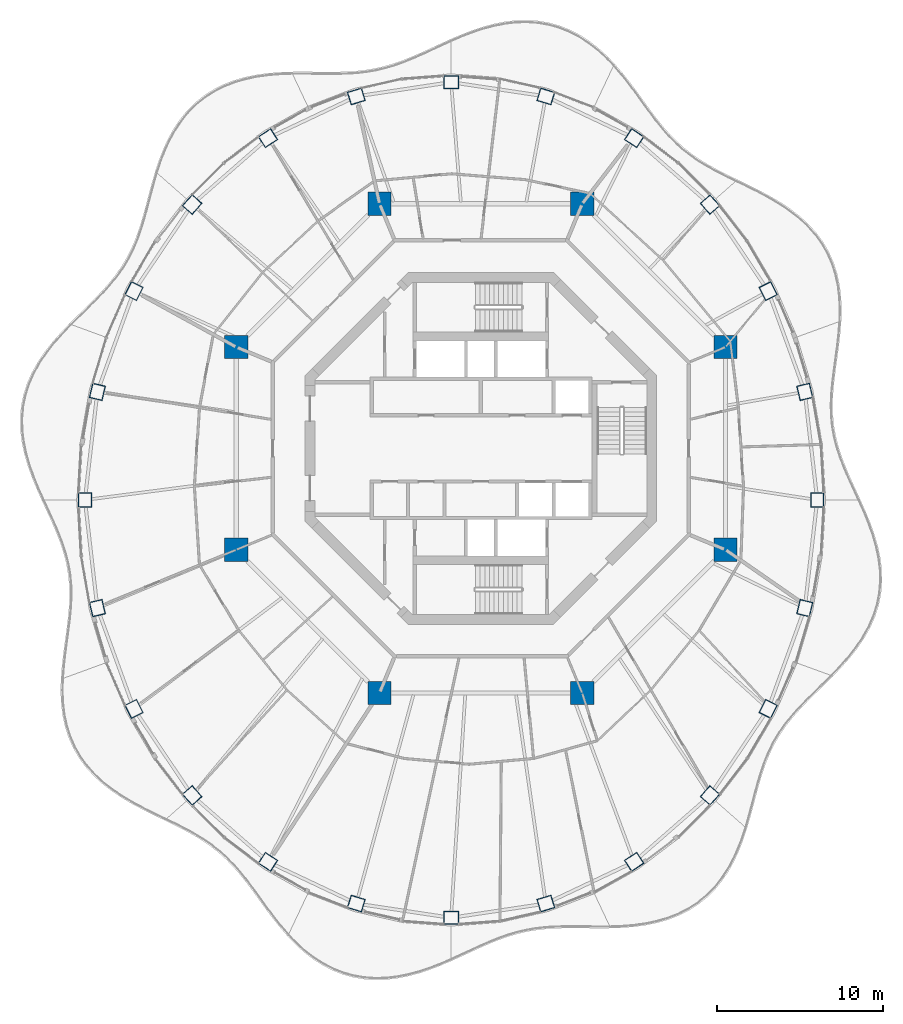
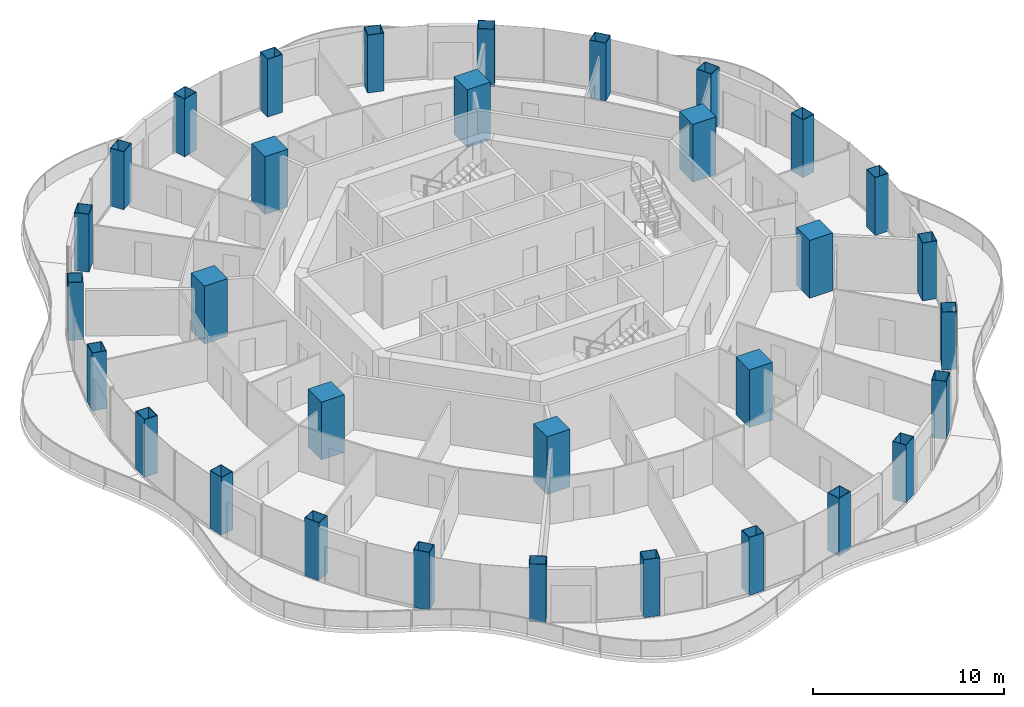
# One storey, part 1 of 17: 32 columns.
"""IFC4 building model written with IfcOpenShell, lengths in metres."""

import ifcopenshell
import ifcopenshell.guid

model = None  # the IFC model being written
_history = None  # IfcOwnerHistory: only IFC2X3 demands one
_inside = {}  # id of a spatial element -> (the spatial element, [elements in it])
_under = {}  # id of a project, library or spatial element -> (it, [spatial elements below it])
_declared = {}  # id of a project -> (the project, [libraries it declares])
_typed = {}  # id of a type object -> (the type object, [elements of that type])
_made_of = {}  # id of a material, layer set ... -> (it, [elements and type objects made of it])


def new_model(schema):
    """Start an empty IFC model of exactly this schema.

    Asked for "IFC4X3", IfcOpenShell would pick the latest addendum, in which some entities
    have other attributes; the version numbers below select the first issue.
    IFC2X3 requires an IfcOwnerHistory on every rooted entity: one is made here for all.
    """
    global model, _history
    if schema == "IFC4X3":
        model = ifcopenshell.file(schema_version=(4, 3, 0, 0))
    else:
        model = ifcopenshell.file(schema=schema)
    _inside.clear()
    _under.clear()
    _declared.clear()
    _typed.clear()
    _made_of.clear()
    _history = None
    if model.schema == "IFC2X3":
        org = make("IfcOrganization", Name="unknown")
        user = make(
            "IfcPersonAndOrganization",
            ThePerson=make("IfcPerson", FamilyName="unknown"),
            TheOrganization=org,
        )
        app = make(
            "IfcApplication",
            ApplicationDeveloper=org,
            Version="unknown",
            ApplicationFullName="unknown",
            ApplicationIdentifier="unknown",
        )
        _history = make(
            "IfcOwnerHistory",
            OwningUser=user,
            OwningApplication=app,
            ChangeAction="ADDED",
            CreationDate=0,
        )
    return model


def make(cls, **values):
    """One entity of the class cls with the attributes given. An attribute that is None is left unset."""
    return model.create_entity(
        cls, **{name: value for name, value in values.items() if value is not None}
    )


def rooted(cls, **values):
    """An entity with a GlobalId (a new one), such as an element, a storey or a relation."""
    return make(cls, GlobalId=ifcopenshell.guid.new(), OwnerHistory=_history, **values)


def si_unit(unit_type, name, prefix=None):
    """IfcSIUnit, for example si_unit("LENGTHUNIT", "METRE", prefix="MILLI")."""
    return make("IfcSIUnit", UnitType=unit_type, Prefix=prefix, Name=name)


def assignment(units):
    """IfcUnitAssignment: the units of a project."""
    return None if units is None else make("IfcUnitAssignment", Units=units)


def point(xyz):
    """IfcCartesianPoint."""
    return None if xyz is None else make("IfcCartesianPoint", Coordinates=xyz)


def direction(xyz):
    """IfcDirection."""
    return None if xyz is None else make("IfcDirection", DirectionRatios=xyz)


def frame(location, z_axis=None, x_axis=None):
    """IfcAxis2Placement3D, a coordinate frame: its origin and axes. An axis left out is left unset."""
    return make(
        "IfcAxis2Placement3D",
        Location=point(location),
        Axis=direction(z_axis),
        RefDirection=direction(x_axis),
    )


def frame_2d(location, x_axis=None):
    """IfcAxis2Placement2D, a coordinate frame in the plane: its origin and x axis."""
    return make(
        "IfcAxis2Placement2D", Location=point(location), RefDirection=direction(x_axis)
    )


def origin():
    """The frame at (0, 0, 0) with its axes left unset."""
    return frame((0.0, 0.0, 0.0))


def origin_2d():
    """The frame at (0, 0) in the plane with its x axis left unset."""
    return frame_2d((0.0, 0.0))


def place(relative_to, where):
    """IfcLocalPlacement: puts the frame where relative to a parent placement (None: the world)."""
    return make(
        "IfcLocalPlacement", PlacementRelTo=relative_to, RelativePlacement=where
    )


def context(
    kind, dimensions, precision=None, world=None, true_north=None, identifier=None
):
    """IfcGeometricRepresentationContext, for example the 3D "Model" context."""
    return make(
        "IfcGeometricRepresentationContext",
        ContextIdentifier=identifier,
        ContextType=kind,
        CoordinateSpaceDimension=dimensions,
        Precision=precision,
        WorldCoordinateSystem=world,
        TrueNorth=true_north,
    )


def subcontext(parent, identifier, kind, view, scale=None):
    """IfcGeometricRepresentationSubContext, for example "Body" below "Model"."""
    return make(
        "IfcGeometricRepresentationSubContext",
        ContextIdentifier=identifier,
        ContextType=kind,
        ParentContext=parent,
        TargetScale=scale,
        TargetView=view,
    )


def project(units=None, contexts=None):
    """IfcProject with its units and contexts."""
    return rooted(
        "IfcProject",
        Name="project",
        RepresentationContexts=contexts,
        UnitsInContext=assignment(units),
    )


def spatial(cls, under=None, at=None, **own):
    """A site, building, storey or space (cls), placed at a placement, below another one or the project."""
    s = rooted(cls, ObjectPlacement=at, **own)
    if under is not None:
        _under.setdefault(under.id(), (under, []))[1].append(s)
    return s


def profile(cls, at=None, kind="AREA", **sizes):
    """A parametric profile (cls). Its sizes go by their IFC names, for example OverallWidth=200.0."""
    return make(cls, ProfileType=kind, Position=at, **sizes)


def rectangle(**sizes):
    """IfcRectangleProfileDef."""
    return profile("IfcRectangleProfileDef", **sizes)


def hollow_rectangle(**sizes):
    """IfcRectangleHollowProfileDef."""
    return profile("IfcRectangleHollowProfileDef", **sizes)


def extrude(swept, where, along, depth):
    """IfcExtrudedAreaSolid: the profile swept, set in the frame where, extruded along a direction by depth."""
    return make(
        "IfcExtrudedAreaSolid",
        SweptArea=swept,
        Position=where,
        ExtrudedDirection=direction(along),
        Depth=depth,
    )


def shape(context_of_items, identifier, shape_type, items):
    """IfcShapeRepresentation: the items that make up one representation, for example the "Body"."""
    return make(
        "IfcShapeRepresentation",
        ContextOfItems=context_of_items,
        RepresentationIdentifier=identifier,
        RepresentationType=shape_type,
        Items=items,
    )


def material(Name=None, Category=None):
    """IfcMaterial."""
    return make("IfcMaterial", Name=Name, Category=Category)


def material_profile(
    of_material, cross_section, Name=None, Category=None, Priority=None
):
    """IfcMaterialProfile: a cross section and its material."""
    return make(
        "IfcMaterialProfile",
        Name=Name,
        Material=of_material,
        Profile=cross_section,
        Priority=Priority,
        Category=Category,
    )


def profile_set(profiles, Name=None, composite=None):
    """IfcMaterialProfileSet."""
    return make(
        "IfcMaterialProfileSet",
        Name=Name,
        MaterialProfiles=profiles,
        CompositeProfile=composite,
    )


def made_of(thing, what):
    """Note that an element or type object is made of a material, layer set ...; save() writes the relation."""
    if what is not None:
        _made_of.setdefault(what.id(), (what, []))[1].append(thing)
    return thing


def type_object(cls, material=None, **own):
    """A type object (cls), such as IfcWallType, which elements share."""
    return made_of(rooted(cls, **own), material)


def element(
    cls,
    number,
    at=None,
    inside=None,
    cuts=None,
    type_object=None,
    material=None,
    context=None,
    identifier="Body",
    shape_type=None,
    held_by="IfcProductDefinitionShape",
    body=None,
    shapes=None,
    **own,
):
    """One element of the class cls, such as IfcWall. Its Tag is "e" and its number.

    at: its placement. inside: the storey or other place that contains it. cuts: it is an
    opening in that element (IfcRelVoidsElement). A single representation is given by context,
    identifier, shape_type and body (its items); several are given by shapes. held_by: the class
    of the entity that holds the representations. save() writes the other relations.
    """
    e = rooted(cls, Tag="e%d" % number, ObjectPlacement=at, **own)
    if body is not None:
        shapes = [shape(context, identifier, shape_type, body)]
    if shapes is not None:
        e.Representation = make(held_by, Representations=shapes)
    if inside is not None:
        _inside.setdefault(inside.id(), (inside, []))[1].append(e)
    if cuts is not None:
        rooted(
            "IfcRelVoidsElement", RelatingBuildingElement=cuts, RelatedOpeningElement=e
        )
    if type_object is not None:
        _typed.setdefault(type_object.id(), (type_object, []))[1].append(e)
    return made_of(e, material)


def aggregate(whole, parts):
    """IfcRelAggregates: a whole, such as a stair, and the parts it consists of."""
    return rooted("IfcRelAggregates", RelatingObject=whole, RelatedObjects=parts)


def save(model, path):
    """Write the relations noted so far, then the file.

    IfcRelAggregates (storeys below a building ...), IfcRelContainedInSpatialStructure (elements
    in a storey), IfcRelDefinesByType, IfcRelAssociatesMaterial and IfcRelDeclares: one each for
    every whole, place, type object, material and project.
    """
    for whole, parts in _under.values():
        aggregate(whole, parts)
    for where, things in _inside.values():
        rooted(
            "IfcRelContainedInSpatialStructure",
            RelatedElements=things,
            RelatingStructure=where,
        )
    for kind, things in _typed.values():
        rooted("IfcRelDefinesByType", RelatedObjects=things, RelatingType=kind)
    for what, things in _made_of.values():
        rooted("IfcRelAssociatesMaterial", RelatedObjects=things, RelatingMaterial=what)
    for by, libraries in _declared.values():
        rooted("IfcRelDeclares", RelatingContext=by, RelatedDefinitions=libraries)
    model.write(path)


model = new_model("IFC4")

# Units and contexts
model_context = context("Model", 3, precision=1e-05, world=origin(), true_north=direction((0.0, 1.0)))
body_context = subcontext(model_context, "Body", "Model", "MODEL_VIEW")
ifc_project = project(units=[si_unit("LENGTHUNIT", "METRE"), si_unit("AREAUNIT", "SQUARE_METRE"), si_unit("VOLUMEUNIT", "CUBIC_METRE"), si_unit("PLANEANGLEUNIT", "RADIAN"), si_unit("MASSUNIT", "GRAM", prefix="KILO")], contexts=[model_context])

# Site, building, storey
site_placement = place(None, origin())
site = spatial("IfcSite", under=ifc_project, at=site_placement, CompositionType="ELEMENT")
building_placement = place(site_placement, origin())
building = spatial("IfcBuilding", under=site, at=building_placement, Name="Nagisa Residences", CompositionType="ELEMENT")
storey_placement = place(building_placement, frame((0.0, 0.0, 291.800048828125)))
storey = spatial("IfcBuildingStorey", under=building, at=storey_placement, Name="L74", CompositionType="ELEMENT", Elevation=291.800048828125)

# Columns
ifc_material_1 = material(Name="Concrete C80", Category="concrete")
ifc_material_profile_1 = material_profile(ifc_material_1, rectangle(XDim=1.39990234375, YDim=1.39990234375, at=origin_2d()), Name="C80 1400x1400")
ifc_profile_set_1 = profile_set([ifc_material_profile_1], Name="Concrete C80")
column_type_1 = type_object("IfcColumnType", Name="Inner megacolumn C80 1400x1400", PredefinedType="COLUMN", material=ifc_profile_set_1)
for number, where, z_axis, x_axis, name in (
    (1, (14.781982421875, 6.123046875, 0.0), (0.0, 0.0, 1.0), (1.0, 0.0, 0.0), "col:L74:i1"),
    (2, (6.123046875, 14.781982421875, 0.0), (0.0, 0.0, 1.0), (1.0, 0.0, 0.0), "col:L74:i2"),
    (3, (-6.123046875, 14.781982421875, 0.0), (0.0, 0.0, 1.0), (1.0, 0.0, 0.0), "col:L74:i3"),
    (4, (-14.781982421875, 6.123046875, 0.0), (0.0, 0.0, 1.0), (1.0, 0.0, 0.0), "col:L74:i4"),
    (5, (-14.781982421875, -6.123046875, 0.0), (0.0, 0.0, 1.0), (1.0, 0.0, 0.0), "col:L74:i5"),
    (6, (-6.123046875, -14.781982421875, 0.0), (0.0, 0.0, 1.0), (1.0, 0.0, 0.0), "col:L74:i6"),
    (7, (6.123046875, -14.781982421875, 0.0), (0.0, 0.0, 1.0), (1.0, 0.0, 0.0), "col:L74:i7"),
    (8, (14.781982421875, -6.123046875, 0.0), (0.0, 0.0, 1.0), (1.0, 0.0, 0.0), "col:L74:i8"),
):
    element("IfcColumn", number, at=place(storey_placement, frame(where, z_axis=z_axis, x_axis=x_axis)), inside=storey, type_object=column_type_1, Name=name, PredefinedType="COLUMN", context=body_context, shape_type="SweptSolid", body=[
        extrude(rectangle(XDim=1.39990234375, YDim=1.39990234375, at=origin_2d()), origin(), (0.0, 0.0, 1.0), 3.699951171875),
    ])
ifc_material_2 = material(Name="Steel ASTM A572 Gr 50", Category="steel")
ifc_material_profile_2 = material_profile(ifc_material_2, hollow_rectangle(XDim=0.89990234375, YDim=0.800048828125, WallThickness=0.028076171875, at=origin_2d()), Name="BX 900x800x28")
ifc_profile_set_2 = profile_set([ifc_material_profile_2], Name="Steel ASTM A572 Gr 50")
column_type_2 = type_object("IfcColumnType", Name="Perimeter column BX 900x800x28", PredefinedType="COLUMN", material=ifc_profile_set_2)
for number, where, z_axis, x_axis, name in (
    (9, (20.320068359375, -3.11767578125, 0.0), (0.0, 0.0, 1.0), (0.0, 1.0, 0.0), "col:L74:p00"),
    (10, (19.566162109375, 3.414794921875, 0.0), (0.0, 0.0, 1.0), (-0.229202013103, 0.973378876486, 0.0), "col:L74:p01"),
    (11, (17.3564453125, 9.502197265625, 0.0), (0.0, 0.0, 1.0), (-0.452462697578, 0.891783329795, 0.0), "col:L74:p02"),
    (12, (13.84130859375, 14.729736328125, 0.0), (0.0, 0.0, 1.0), (-0.660114607735, 0.751164898445, 0.0), "col:L74:p03"),
    (13, (9.260009765625, 18.74072265625, 0.0), (0.0, 0.0, 1.0), (-0.835766105673, 0.54908561865, 0.0), "col:L74:p04"),
    (14, (3.925048828125, 21.26220703125, 0.0), (0.0, 0.0, 1.0), (-0.956524583408, 0.291651712384, 0.0), "col:L74:p05"),
    (15, (-1.800048828125, 22.122314453125, 0.0), (0.0, 0.0, 1.0), (-1.0, 0.0, 0.0), "col:L74:p06"),
    (16, (-7.525146484375, 21.26220703125, 0.0), (0.0, 0.0, 1.0), (-0.956524583408, -0.291651712384, 0.0), "col:L74:p07"),
    (17, (-12.860107421875, 18.74072265625, 0.0), (0.0, 0.0, 1.0), (-0.835766105673, -0.54908561865, 0.0), "col:L74:p08"),
    (18, (-17.441162109375, 14.729736328125, 0.0), (0.0, 0.0, 1.0), (-0.660114607735, -0.751164898445, 0.0), "col:L74:p09"),
    (19, (-20.95654296875, 9.502197265625, 0.0), (0.0, 0.0, 1.0), (-0.452462697578, -0.891783329795, 0.0), "col:L74:p10"),
    (20, (-23.166259765625, 3.414794921875, 0.0), (0.0, 0.0, 1.0), (-0.229202013103, -0.973378876486, 0.0), "col:L74:p11"),
    (21, (-23.919921875, -3.11767578125, 0.0), (0.0, 0.0, 1.0), (0.0, -1.0, 0.0), "col:L74:p12"),
    (22, (-23.166259765625, -9.650390625, 0.0), (0.0, 0.0, 1.0), (0.229202013103, -0.973378876486, 0.0), "col:L74:p13"),
    (23, (-20.95654296875, -15.73779296875, 0.0), (0.0, 0.0, 1.0), (0.452462697578, -0.891783329795, 0.0), "col:L74:p14"),
    (24, (-17.441162109375, -20.965087890625, 0.0), (0.0, 0.0, 1.0), (0.660114607735, -0.751164898445, 0.0), "col:L74:p15"),
    (25, (-12.860107421875, -24.97607421875, 0.0), (0.0, 0.0, 1.0), (0.835766105673, -0.54908561865, 0.0), "col:L74:p16"),
    (26, (-7.525146484375, -27.49755859375, 0.0), (0.0, 0.0, 1.0), (0.956524583408, -0.291651712384, 0.0), "col:L74:p17"),
    (27, (-1.800048828125, -28.357666015625, 0.0), (0.0, 0.0, 1.0), (1.0, 0.0, 0.0), "col:L74:p18"),
    (28, (3.925048828125, -27.49755859375, 0.0), (0.0, 0.0, 1.0), (0.956524583408, 0.291651712384, 0.0), "col:L74:p19"),
    (29, (9.260009765625, -24.97607421875, 0.0), (0.0, 0.0, 1.0), (0.835766105673, 0.54908561865, 0.0), "col:L74:p20"),
    (30, (13.84130859375, -20.965087890625, 0.0), (0.0, 0.0, 1.0), (0.660114607735, 0.751164898445, 0.0), "col:L74:p21"),
    (31, (17.3564453125, -15.73779296875, 0.0), (0.0, 0.0, 1.0), (0.452462697578, 0.891783329795, 0.0), "col:L74:p22"),
    (32, (19.566162109375, -9.650390625, 0.0), (0.0, 0.0, 1.0), (0.229202013103, 0.973378876486, 0.0), "col:L74:p23"),
):
    element("IfcColumn", number, at=place(storey_placement, frame(where, z_axis=z_axis, x_axis=x_axis)), inside=storey, type_object=column_type_2, Name=name, PredefinedType="COLUMN", context=body_context, shape_type="SweptSolid", body=[
        extrude(hollow_rectangle(XDim=0.89990234375, YDim=0.800048828125, WallThickness=0.028076171875, at=origin_2d()), origin(), (0.0, 0.0, 1.0), 3.699951171875),
    ])

save(model, "model.ifc")
